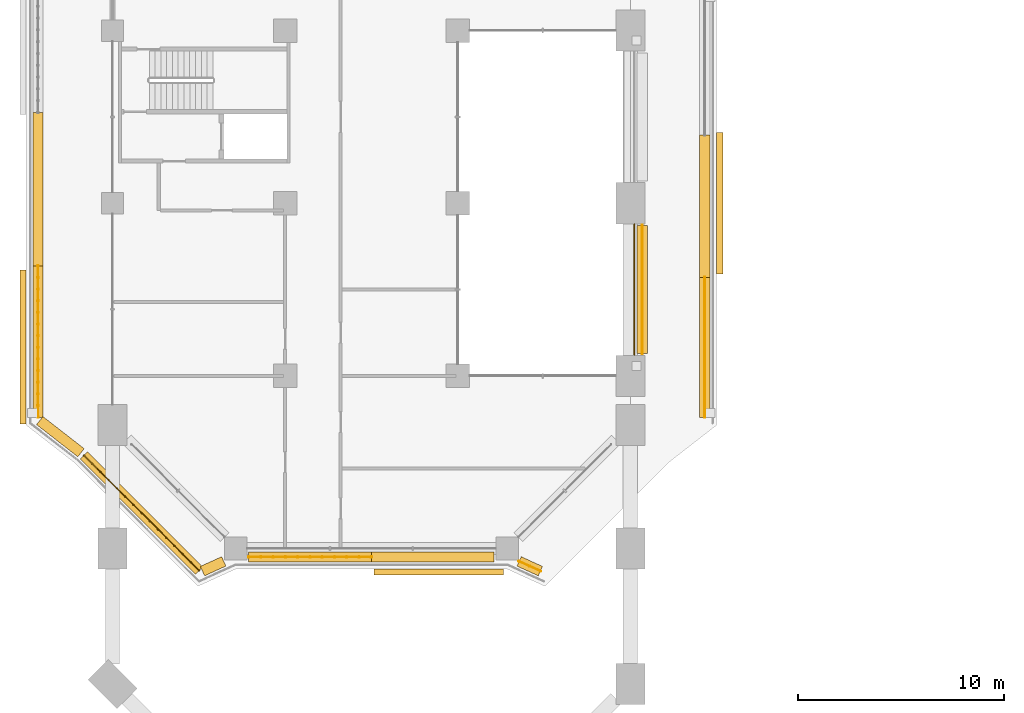
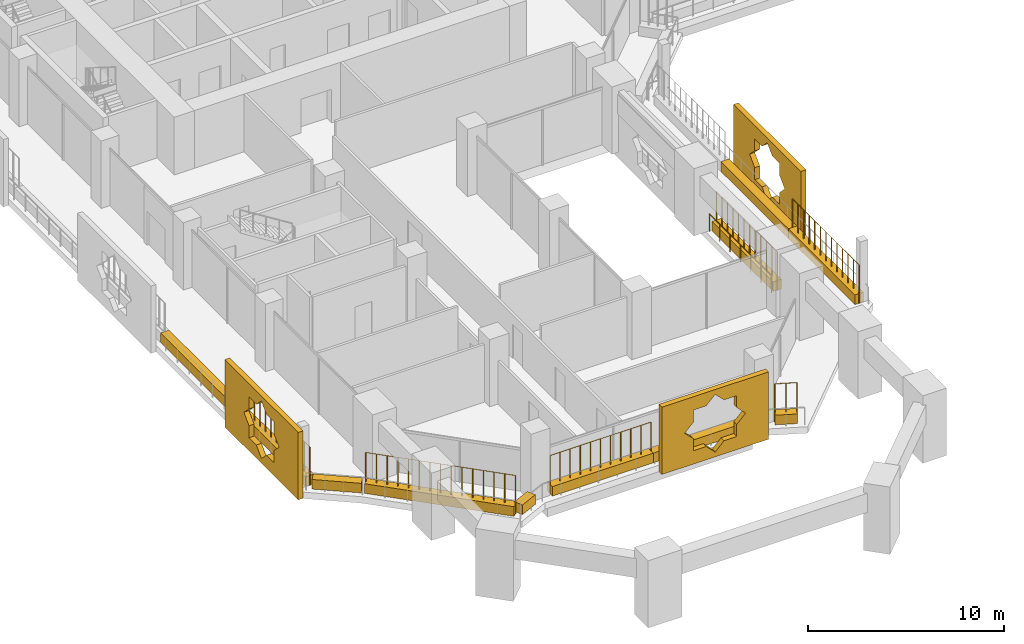
# One storey, part 19 of 27: 14 coverings, 7 railings.
"""IFC4 building model written with IfcOpenShell, lengths in metres."""

from ifc_helpers import new_model, si_unit, direction, frame, origin, origin_2d, place, context, subcontext, project, spatial, polyline, rectangle, circle, outline, extrude, material, material_profile, profile_set, type_object, element, save


model = new_model("IFC4")

# Units and contexts
model_context = context("Model", 3, precision=1e-05, world=origin(), true_north=direction((0.0, 1.0)))
body_context = subcontext(model_context, "Body", "Model", "MODEL_VIEW")
ifc_project = project(units=[si_unit("LENGTHUNIT", "METRE"), si_unit("AREAUNIT", "SQUARE_METRE"), si_unit("VOLUMEUNIT", "CUBIC_METRE"), si_unit("PLANEANGLEUNIT", "RADIAN"), si_unit("MASSUNIT", "GRAM", prefix="KILO")], contexts=[model_context])

# Site, building, storey
site_placement = place(None, origin())
site = spatial("IfcSite", under=ifc_project, at=site_placement, CompositionType="ELEMENT")
building_placement = place(site_placement, origin())
building = spatial("IfcBuilding", under=site, at=building_placement, Name="Kawkab Arch Medical Tower", CompositionType="ELEMENT")
storey_placement = place(building_placement, frame((0.0, 0.0, 103.0)))
storey = spatial("IfcBuildingStorey", under=building, at=storey_placement, Name="L23", CompositionType="ELEMENT", Elevation=103.0)

# Railing
ifc_material_1 = material(Name="Bronze anodised aluminium guard", Category="aluminium")
railing_type_1 = type_object("IfcRailingType", Name="Loggia and terrace guard 1100", PredefinedType="GUARDRAIL", material=ifc_material_1)
railing_1_placement = place(storey_placement, frame((25.39990234375, -49.3701171875, 0.0)))
element("IfcRailing", 1, at=railing_1_placement, inside=storey, type_object=railing_type_1, Name="Guard L23.LOG-01.1.1", PredefinedType="GUARDRAIL", context=body_context, shape_type="SweptSolid", body=[
    extrude(circle(Radius=0.02392578125, at=origin_2d()), frame((0.0, 0.0, 1.076171875), z_axis=(0.0, 1.0, 0.0), x_axis=(-1.0, 0.0, 0.0)), (0.0, 0.0, 1.0), 6.340087890625),
    extrude(circle(Radius=0.02099609375, at=origin_2d()), origin(), (0.0, 0.0, 1.0), 1.052001953125),
    extrude(circle(Radius=0.02099609375, at=origin_2d()), frame((0.0, 1.056640625, 0.0)), (0.0, 0.0, 1.0), 1.052001953125),
    extrude(circle(Radius=0.02099609375, at=origin_2d()), frame((0.0, 2.11328125, 0.0)), (0.0, 0.0, 1.0), 1.052001953125),
    extrude(circle(Radius=0.02099609375, at=origin_2d()), frame((0.0, 3.169921875, 0.0)), (0.0, 0.0, 1.0), 1.052001953125),
    extrude(circle(Radius=0.02099609375, at=origin_2d()), frame((0.0, 4.226806640625, 0.0)), (0.0, 0.0, 1.0), 1.052001953125),
    extrude(circle(Radius=0.02099609375, at=origin_2d()), frame((0.0, 5.283447265625, 0.0)), (0.0, 0.0, 1.0), 1.052001953125),
    extrude(circle(Radius=0.02099609375, at=origin_2d()), frame((0.0, 6.340087890625, 0.0)), (0.0, 0.0, 1.0), 1.052001953125),
])

# Coverings
ifc_material_2 = material(Name="Bronze anodised aluminium mashrabiya panel, eight-point star pattern", Category="aluminium")
ifc_material_profile_1 = material_profile(ifc_material_2, outline(polyline([(-3.14990234375, -2.10009765625), (3.14990234375, -2.10009765625), (3.14990234375, 2.10009765625), (-3.14990234375, 2.10009765625), (-3.14990234375, -2.10009765625)]), holes=[polyline([(1.800048828125, 0.0), (1.272705078125, 0.527099609375), (1.272705078125, 1.272705078125), (0.527099609375, 1.272705078125), (0.0, 1.800048828125), (-0.527099609375, 1.272705078125), (-1.272705078125, 1.272705078125), (-1.272705078125, 0.527099609375), (-1.800048828125, 0.0), (-1.272705078125, -0.527099609375), (-1.272705078125, -1.272705078125), (-0.527099609375, -1.272705078125), (0.0, -1.800048828125), (0.527099609375, -1.272705078125), (1.272705078125, -1.272705078125), (1.272705078125, -0.527099609375), (1.800048828125, 0.0)])]), Name="Mashrabiya panel 6300x4200")
ifc_profile_set_1 = profile_set([ifc_material_profile_1], Name="Bronze anodised aluminium mashrabiya panel, eight-point star pattern")
covering_type_1 = type_object("IfcCoveringType", Name="Mashrabiya panel 6300 x 4200", PredefinedType="USERDEFINED", material=ifc_profile_set_1)
covering_1_placement = place(storey_placement, frame((15.881103515625, -59.800048828125, 1.699951171875), z_axis=(0.0, -1.0, 0.0), x_axis=(1.0, 0.0, 0.0)))
element("IfcCovering", 2, at=covering_1_placement, inside=storey, type_object=covering_type_1, Name="Mashrabiya panel L23.LOG-01-02.1", ObjectType="SCREEN", PredefinedType="USERDEFINED", context=body_context, shape_type="SweptSolid", body=[
    extrude(outline(polyline([(-3.14990234375, -2.10009765625), (3.14990234375, -2.10009765625), (3.14990234375, 2.10009765625), (-3.14990234375, 2.10009765625), (-3.14990234375, -2.10009765625)]), holes=[polyline([(1.800048828125, 0.0), (1.272705078125, 0.527099609375), (1.272705078125, 1.272705078125), (0.527099609375, 1.272705078125), (0.0, 1.800048828125), (-0.527099609375, 1.272705078125), (-1.272705078125, 1.272705078125), (-1.272705078125, 0.527099609375), (-1.800048828125, 0.0), (-1.272705078125, -0.527099609375), (-1.272705078125, -1.272705078125), (-0.527099609375, -1.272705078125), (0.0, -1.800048828125), (0.527099609375, -1.272705078125), (1.272705078125, -1.272705078125), (1.272705078125, -0.527099609375), (1.800048828125, 0.0)])]), origin(), (0.0, 0.0, 1.0), 0.300048828125),
])
ifc_material_3 = material(Name="Bronze anodised aluminium mashrabiya panel, eight-point star pattern", Category="aluminium")
ifc_material_profile_2 = material_profile(ifc_material_3, outline(polyline([(-3.449951171875, -2.10009765625), (3.449951171875, -2.10009765625), (3.449951171875, 2.10009765625), (-3.449951171875, 2.10009765625), (-3.449951171875, -2.10009765625)]), holes=[polyline([(1.800048828125, 0.0), (1.272705078125, 0.527099609375), (1.272705078125, 1.272705078125), (0.527099609375, 1.272705078125), (0.0, 1.800048828125), (-0.527099609375, 1.272705078125), (-1.272705078125, 1.272705078125), (-1.272705078125, 0.527099609375), (-1.800048828125, 0.0), (-1.272705078125, -0.527099609375), (-1.272705078125, -1.272705078125), (-0.527099609375, -1.272705078125), (0.0, -1.800048828125), (0.527099609375, -1.272705078125), (1.272705078125, -1.272705078125), (1.272705078125, -0.527099609375), (1.800048828125, 0.0)])]), Name="Mashrabiya panel 6900x4200")
ifc_profile_set_2 = profile_set([ifc_material_profile_2], Name="Bronze anodised aluminium mashrabiya panel, eight-point star pattern")
covering_type_2 = type_object("IfcCoveringType", Name="Mashrabiya panel 6900 x 4200", PredefinedType="USERDEFINED", material=ifc_profile_set_2)
covering_2_placement = place(storey_placement, frame((29.39990234375, -42.002685546875, 1.699951171875), z_axis=(1.0, 0.0, 0.0), x_axis=(0.0, 1.0, 0.0)))
element("IfcCovering", 3, at=covering_2_placement, inside=storey, type_object=covering_type_2, Name="Mashrabiya panel L23.LOG-01-02.14", ObjectType="SCREEN", PredefinedType="USERDEFINED", context=body_context, shape_type="SweptSolid", body=[
    extrude(outline(polyline([(-3.449951171875, -2.10009765625), (3.449951171875, -2.10009765625), (3.449951171875, 2.10009765625), (-3.449951171875, 2.10009765625), (-3.449951171875, -2.10009765625)]), holes=[polyline([(1.800048828125, 0.0), (1.272705078125, 0.527099609375), (1.272705078125, 1.272705078125), (0.527099609375, 1.272705078125), (0.0, 1.800048828125), (-0.527099609375, 1.272705078125), (-1.272705078125, 1.272705078125), (-1.272705078125, 0.527099609375), (-1.800048828125, 0.0), (-1.272705078125, -0.527099609375), (-1.272705078125, -1.272705078125), (-0.527099609375, -1.272705078125), (0.0, -1.800048828125), (0.527099609375, -1.272705078125), (1.272705078125, -1.272705078125), (1.272705078125, -0.527099609375), (1.800048828125, 0.0)])]), origin(), (0.0, 0.0, 1.0), 0.300048828125),
])
ifc_material_4 = material(Name="Bronze anodised aluminium mashrabiya panel, eight-point star pattern", Category="aluminium")
ifc_material_profile_3 = material_profile(ifc_material_4, outline(polyline([(-3.75, -2.10009765625), (3.75, -2.10009765625), (3.75, 2.10009765625), (-3.75, 2.10009765625), (-3.75, -2.10009765625)]), holes=[polyline([(1.800048828125, 0.0), (1.272705078125, 0.527099609375), (1.272705078125, 1.272705078125), (0.527099609375, 1.272705078125), (0.0, 1.800048828125), (-0.527099609375, 1.272705078125), (-1.272705078125, 1.272705078125), (-1.272705078125, 0.527099609375), (-1.800048828125, 0.0), (-1.272705078125, -0.527099609375), (-1.272705078125, -1.272705078125), (-0.527099609375, -1.272705078125), (0.0, -1.800048828125), (0.527099609375, -1.272705078125), (1.272705078125, -1.272705078125), (1.272705078125, -0.527099609375), (1.800048828125, 0.0)])]), Name="Mashrabiya panel 7500x4200")
ifc_profile_set_3 = profile_set([ifc_material_profile_3], Name="Bronze anodised aluminium mashrabiya panel, eight-point star pattern")
covering_type_3 = type_object("IfcCoveringType", Name="Mashrabiya panel 7500 x 4200", PredefinedType="USERDEFINED", material=ifc_profile_set_3)
covering_3_placement = place(storey_placement, frame((-4.199951171875, -49.00439453125, 1.699951171875), z_axis=(-1.0, 0.0, 0.0), x_axis=(0.0, -1.0, 0.0)))
element("IfcCovering", 4, at=covering_3_placement, inside=storey, type_object=covering_type_3, Name="Mashrabiya panel L23.LOG-01-02.2", ObjectType="SCREEN", PredefinedType="USERDEFINED", context=body_context, shape_type="SweptSolid", body=[
    extrude(outline(polyline([(-3.75, -2.10009765625), (3.75, -2.10009765625), (3.75, 2.10009765625), (-3.75, 2.10009765625), (-3.75, -2.10009765625)]), holes=[polyline([(1.800048828125, 0.0), (1.272705078125, 0.527099609375), (1.272705078125, 1.272705078125), (0.527099609375, 1.272705078125), (0.0, 1.800048828125), (-0.527099609375, 1.272705078125), (-1.272705078125, 1.272705078125), (-1.272705078125, 0.527099609375), (-1.800048828125, 0.0), (-1.272705078125, -0.527099609375), (-1.272705078125, -1.272705078125), (-0.527099609375, -1.272705078125), (0.0, -1.800048828125), (0.527099609375, -1.272705078125), (1.272705078125, -1.272705078125), (1.272705078125, -0.527099609375), (1.800048828125, 0.0)])]), origin(), (0.0, 0.0, 1.0), 0.300048828125),
])
ifc_material_5 = material(Name="Planting soil in a precast trough", Category="concrete")
ifc_material_profile_4 = material_profile(ifc_material_5, rectangle(XDim=0.5, YDim=0.60009765625, at=origin_2d()), Name="Trough 500x600")
ifc_profile_set_4 = profile_set([ifc_material_profile_4], Name="Planting soil in a precast trough")
covering_type_4 = type_object("IfcCoveringType", Name="Planter trough 500 x 600", PredefinedType="USERDEFINED", material=ifc_profile_set_4)
covering_4_placement = place(storey_placement, frame((25.780029296875, -49.320068359375, 0.300048828125), z_axis=(0.0, 1.0, 0.0), x_axis=(-1.0, 0.0, 0.0)))
element("IfcCovering", 5, at=covering_4_placement, inside=storey, type_object=covering_type_4, Name="Planter L23.LOG-01-01.1", ObjectType="PLANTER", PredefinedType="USERDEFINED", context=body_context, shape_type="SweptSolid", body=[
    extrude(rectangle(XDim=0.5, YDim=0.60009765625, at=origin_2d()), origin(), (0.0, 0.0, 1.0), 6.239990234375),
])
covering_5_placement = place(storey_placement, frame((20.821044921875, -59.902099609375, 0.300048828125), z_axis=(-0.909821891123, 0.414998947508, 0.0), x_axis=(-0.414998947508, -0.909821891123, 0.0)))
element("IfcCovering", 6, at=covering_5_placement, inside=storey, type_object=covering_type_4, Name="Planter L23.LOG-01-02.1", ObjectType="PLANTER", PredefinedType="USERDEFINED", context=body_context, shape_type="SweptSolid", body=[
    extrude(rectangle(XDim=0.5, YDim=0.60009765625, at=origin_2d()), origin(), (0.0, 0.0, 1.0), 1.1376953125),
])
covering_6_placement = place(storey_placement, frame((18.570068359375, -59.219970703125, 0.300048828125), z_axis=(-1.0, 0.0, 0.0), x_axis=(0.0, -1.0, 0.0)))
element("IfcCovering", 7, at=covering_6_placement, inside=storey, type_object=covering_type_4, Name="Planter L23.LOG-01-02.2", ObjectType="PLANTER", PredefinedType="USERDEFINED", context=body_context, shape_type="SweptSolid", body=[
    extrude(rectangle(XDim=0.5, YDim=0.60009765625, at=origin_2d()), origin(), (0.0, 0.0, 1.0), 5.969970703125),
])
covering_7_placement = place(storey_placement, frame((12.60009765625, -59.219970703125, 0.300048828125), z_axis=(-1.0, 0.0, 0.0), x_axis=(0.0, -1.0, 0.0)))
element("IfcCovering", 8, at=covering_7_placement, inside=storey, type_object=covering_type_4, Name="Planter L23.LOG-01-02.3", ObjectType="PLANTER", PredefinedType="USERDEFINED", context=body_context, shape_type="SweptSolid", body=[
    extrude(rectangle(XDim=0.5, YDim=0.60009765625, at=origin_2d()), origin(), (0.0, 0.0, 1.0), 5.97021484375),
])
covering_8_placement = place(storey_placement, frame((5.4140625, -59.429931640625, 0.300048828125), z_axis=(-0.909821891123, -0.414998947508, 0.0), x_axis=(0.414998947508, -0.909821891123, 0.0)))
element("IfcCovering", 9, at=covering_8_placement, inside=storey, type_object=covering_type_4, Name="Planter L23.LOG-01-02.4", ObjectType="PLANTER", PredefinedType="USERDEFINED", context=body_context, shape_type="SweptSolid", body=[
    extrude(rectangle(XDim=0.5, YDim=0.60009765625, at=origin_2d()), origin(), (0.0, 0.0, 1.0), 1.1376953125),
])
covering_9_placement = place(storey_placement, frame((4.217041015625, -59.873046875, 0.300048828125), z_axis=(-0.707106781187, 0.707106781187, 0.0), x_axis=(-0.707106781187, -0.707106781187, 0.0)))
element("IfcCovering", 10, at=covering_9_placement, inside=storey, type_object=covering_type_4, Name="Planter L23.LOG-01-02.5", ObjectType="PLANTER", PredefinedType="USERDEFINED", context=body_context, shape_type="SweptSolid", body=[
    extrude(rectangle(XDim=0.5, YDim=0.60009765625, at=origin_2d()), origin(), (0.0, 0.0, 1.0), 7.919677734375),
])
covering_10_placement = place(storey_placement, frame((-1.531982421875, -54.14111328125, 0.300048828125), z_axis=(-0.789228258436, 0.614099956103, 0.0), x_axis=(-0.614099956103, -0.789228258436, 0.0)))
element("IfcCovering", 11, at=covering_10_placement, inside=storey, type_object=covering_type_4, Name="Planter L23.LOG-01-02.6", ObjectType="PLANTER", PredefinedType="USERDEFINED", context=body_context, shape_type="SweptSolid", body=[
    extrude(rectangle(XDim=0.5, YDim=0.60009765625, at=origin_2d()), origin(), (0.0, 0.0, 1.0), 2.545654296875),
])
covering_11_placement = place(storey_placement, frame((-3.6201171875, -52.416015625, 0.300048828125), z_axis=(0.0, 1.0, 0.0), x_axis=(-1.0, 0.0, 0.0)))
element("IfcCovering", 12, at=covering_11_placement, inside=storey, type_object=covering_type_4, Name="Planter L23.LOG-01-02.7", ObjectType="PLANTER", PredefinedType="USERDEFINED", context=body_context, shape_type="SweptSolid", body=[
    extrude(rectangle(XDim=0.5, YDim=0.60009765625, at=origin_2d()), origin(), (0.0, 0.0, 1.0), 7.361083984375),
])
covering_12_placement = place(storey_placement, frame((-3.6201171875, -45.054931640625, 0.300048828125), z_axis=(0.0, 1.0, 0.0), x_axis=(-1.0, 0.0, 0.0)))
element("IfcCovering", 13, at=covering_12_placement, inside=storey, type_object=covering_type_4, Name="Planter L23.LOG-01-02.8", ObjectType="PLANTER", PredefinedType="USERDEFINED", context=body_context, shape_type="SweptSolid", body=[
    extrude(rectangle(XDim=0.5, YDim=0.60009765625, at=origin_2d()), origin(), (0.0, 0.0, 1.0), 7.4619140625),
])
covering_13_placement = place(storey_placement, frame((28.820068359375, -38.69189453125, 0.300048828125), z_axis=(0.0, -1.0, 0.0), x_axis=(1.0, 0.0, 0.0)))
element("IfcCovering", 14, at=covering_13_placement, inside=storey, type_object=covering_type_4, Name="Planter L23.LOG-01-02.46", ObjectType="PLANTER", PredefinedType="USERDEFINED", context=body_context, shape_type="SweptSolid", body=[
    extrude(rectangle(XDim=0.5, YDim=0.60009765625, at=origin_2d()), origin(), (0.0, 0.0, 1.0), 6.912109375),
])
covering_14_placement = place(storey_placement, frame((28.820068359375, -45.60400390625, 0.300048828125), z_axis=(0.0, -1.0, 0.0), x_axis=(1.0, 0.0, 0.0)))
element("IfcCovering", 15, at=covering_14_placement, inside=storey, type_object=covering_type_4, Name="Planter L23.LOG-01-02.47", ObjectType="PLANTER", PredefinedType="USERDEFINED", context=body_context, shape_type="SweptSolid", body=[
    extrude(rectangle(XDim=0.5, YDim=0.60009765625, at=origin_2d()), origin(), (0.0, 0.0, 1.0), 6.81201171875),
])

# Railings
ifc_material_6 = material(Name="Bronze anodised aluminium trellis for climbing plants", Category="aluminium")
railing_type_2 = type_object("IfcRailingType", Name="Planting trellis 2400", PredefinedType="USERDEFINED", material=ifc_material_6)
railing_2_placement = place(storey_placement, frame((25.780029296875, -49.320068359375, 0.0)))
element("IfcRailing", 16, at=railing_2_placement, inside=storey, type_object=railing_type_2, Name="Planting trellis L23.LOG-01-01.1", ObjectType="TRELLIS", PredefinedType="USERDEFINED", context=body_context, shape_type="SweptSolid", body=[
    extrude(circle(Radius=0.01513671875, at=origin_2d()), frame((0.0, 0.0, 2.384765625), z_axis=(0.0, 1.0, 0.0), x_axis=(-1.0, 0.0, 0.0)), (0.0, 0.0, 1.0), 6.239990234375),
    extrude(circle(Radius=0.030029296875, at=origin_2d()), origin(), (0.0, 0.0, 1.0), 2.369873046875),
    extrude(circle(Radius=0.030029296875, at=origin_2d()), frame((0.0, 0.5673828125, 0.0)), (0.0, 0.0, 1.0), 2.369873046875),
    extrude(circle(Radius=0.030029296875, at=origin_2d()), frame((0.0, 1.134521484375, 0.0)), (0.0, 0.0, 1.0), 2.369873046875),
    extrude(circle(Radius=0.030029296875, at=origin_2d()), frame((0.0, 1.701904296875, 0.0)), (0.0, 0.0, 1.0), 2.369873046875),
    extrude(circle(Radius=0.030029296875, at=origin_2d()), frame((0.0, 2.26904296875, 0.0)), (0.0, 0.0, 1.0), 2.369873046875),
    extrude(circle(Radius=0.030029296875, at=origin_2d()), frame((0.0, 2.83642578125, 0.0)), (0.0, 0.0, 1.0), 2.369873046875),
    extrude(circle(Radius=0.030029296875, at=origin_2d()), frame((0.0, 3.403564453125, 0.0)), (0.0, 0.0, 1.0), 2.369873046875),
    extrude(circle(Radius=0.030029296875, at=origin_2d()), frame((0.0, 3.970947265625, 0.0)), (0.0, 0.0, 1.0), 2.369873046875),
    extrude(circle(Radius=0.030029296875, at=origin_2d()), frame((0.0, 4.5380859375, 0.0)), (0.0, 0.0, 1.0), 2.369873046875),
    extrude(circle(Radius=0.030029296875, at=origin_2d()), frame((0.0, 5.10546875, 0.0)), (0.0, 0.0, 1.0), 2.369873046875),
    extrude(circle(Radius=0.030029296875, at=origin_2d()), frame((0.0, 5.672607421875, 0.0)), (0.0, 0.0, 1.0), 2.369873046875),
    extrude(circle(Radius=0.030029296875, at=origin_2d()), frame((0.0, 6.239990234375, 0.0)), (0.0, 0.0, 1.0), 2.369873046875),
])
railing_3_placement = place(storey_placement, frame((20.821044921875, -59.902099609375, 0.0)))
element("IfcRailing", 17, at=railing_3_placement, inside=storey, type_object=railing_type_2, Name="Planting trellis L23.LOG-01-02.1", ObjectType="TRELLIS", PredefinedType="USERDEFINED", context=body_context, shape_type="SweptSolid", body=[
    extrude(circle(Radius=0.01513671875, at=origin_2d()), frame((0.0, 0.0, 2.384765625), z_axis=(-0.909821891123, 0.414998947508, 0.0), x_axis=(-0.414998947508, -0.909821891123, 0.0)), (0.0, 0.0, 1.0), 1.1376953125),
    extrude(circle(Radius=0.030029296875, at=origin_2d()), origin(), (0.0, 0.0, 1.0), 2.369873046875),
    extrude(circle(Radius=0.030029296875, at=origin_2d()), frame((-0.517578125, 0.236083984375, 0.0)), (0.0, 0.0, 1.0), 2.369873046875),
    extrude(circle(Radius=0.030029296875, at=origin_2d()), frame((-1.03515625, 0.47216796875, 0.0)), (0.0, 0.0, 1.0), 2.369873046875),
])
railing_4_placement = place(storey_placement, frame((12.60009765625, -59.219970703125, 0.0)))
element("IfcRailing", 18, at=railing_4_placement, inside=storey, type_object=railing_type_2, Name="Planting trellis L23.LOG-01-02.3", ObjectType="TRELLIS", PredefinedType="USERDEFINED", context=body_context, shape_type="SweptSolid", body=[
    extrude(circle(Radius=0.01513671875, at=origin_2d()), frame((0.0, 0.0, 2.384765625), z_axis=(-1.0, 0.0, 0.0), x_axis=(0.0, -1.0, 0.0)), (0.0, 0.0, 1.0), 5.97021484375),
    extrude(circle(Radius=0.030029296875, at=origin_2d()), origin(), (0.0, 0.0, 1.0), 2.369873046875),
    extrude(circle(Radius=0.030029296875, at=origin_2d()), frame((-0.596923828125, 0.0, 0.0)), (0.0, 0.0, 1.0), 2.369873046875),
    extrude(circle(Radius=0.030029296875, at=origin_2d()), frame((-1.194091796875, 0.0, 0.0)), (0.0, 0.0, 1.0), 2.369873046875),
    extrude(circle(Radius=0.030029296875, at=origin_2d()), frame((-1.791015625, 0.0, 0.0)), (0.0, 0.0, 1.0), 2.369873046875),
    extrude(circle(Radius=0.030029296875, at=origin_2d()), frame((-2.38818359375, 0.0, 0.0)), (0.0, 0.0, 1.0), 2.369873046875),
    extrude(circle(Radius=0.030029296875, at=origin_2d()), frame((-2.985107421875, 0.0, 0.0)), (0.0, 0.0, 1.0), 2.369873046875),
    extrude(circle(Radius=0.030029296875, at=origin_2d()), frame((-3.58203125, 0.0, 0.0)), (0.0, 0.0, 1.0), 2.369873046875),
    extrude(circle(Radius=0.030029296875, at=origin_2d()), frame((-4.17919921875, 0.0, 0.0)), (0.0, 0.0, 1.0), 2.369873046875),
    extrude(circle(Radius=0.030029296875, at=origin_2d()), frame((-4.776123046875, 0.0, 0.0)), (0.0, 0.0, 1.0), 2.369873046875),
    extrude(circle(Radius=0.030029296875, at=origin_2d()), frame((-5.373291015625, 0.0, 0.0)), (0.0, 0.0, 1.0), 2.369873046875),
    extrude(circle(Radius=0.030029296875, at=origin_2d()), frame((-5.97021484375, 0.0, 0.0)), (0.0, 0.0, 1.0), 2.369873046875),
])
railing_5_placement = place(storey_placement, frame((4.217041015625, -59.873046875, 0.0)))
element("IfcRailing", 19, at=railing_5_placement, inside=storey, type_object=railing_type_2, Name="Planting trellis L23.LOG-01-02.5", ObjectType="TRELLIS", PredefinedType="USERDEFINED", context=body_context, shape_type="SweptSolid", body=[
    extrude(circle(Radius=0.01513671875, at=origin_2d()), frame((0.0, 0.0, 2.384765625), z_axis=(-0.707106781187, 0.707106781187, 0.0), x_axis=(-0.707106781187, -0.707106781187, 0.0)), (0.0, 0.0, 1.0), 7.919677734375),
    extrude(circle(Radius=0.030029296875, at=origin_2d()), origin(), (0.0, 0.0, 1.0), 2.369873046875),
    extrude(circle(Radius=0.030029296875, at=origin_2d()), frame((-0.39990234375, 0.39990234375, 0.0)), (0.0, 0.0, 1.0), 2.369873046875),
    extrude(circle(Radius=0.030029296875, at=origin_2d()), frame((-0.800048828125, 0.800048828125, 0.0)), (0.0, 0.0, 1.0), 2.369873046875),
    extrude(circle(Radius=0.030029296875, at=origin_2d()), frame((-1.199951171875, 1.199951171875, 0.0)), (0.0, 0.0, 1.0), 2.369873046875),
    extrude(circle(Radius=0.030029296875, at=origin_2d()), frame((-1.60009765625, 1.60009765625, 0.0)), (0.0, 0.0, 1.0), 2.369873046875),
    extrude(circle(Radius=0.030029296875, at=origin_2d()), frame((-2.0, 2.0, 0.0)), (0.0, 0.0, 1.0), 2.369873046875),
    extrude(circle(Radius=0.030029296875, at=origin_2d()), frame((-2.400146484375, 2.400146484375, 0.0)), (0.0, 0.0, 1.0), 2.369873046875),
    extrude(circle(Radius=0.030029296875, at=origin_2d()), frame((-2.800048828125, 2.800048828125, 0.0)), (0.0, 0.0, 1.0), 2.369873046875),
    extrude(circle(Radius=0.030029296875, at=origin_2d()), frame((-3.199951171875, 3.199951171875, 0.0)), (0.0, 0.0, 1.0), 2.369873046875),
    extrude(circle(Radius=0.030029296875, at=origin_2d()), frame((-3.60009765625, 3.60009765625, 0.0)), (0.0, 0.0, 1.0), 2.369873046875),
    extrude(circle(Radius=0.030029296875, at=origin_2d()), frame((-4.0, 4.0, 0.0)), (0.0, 0.0, 1.0), 2.369873046875),
    extrude(circle(Radius=0.030029296875, at=origin_2d()), frame((-4.400146484375, 4.400146484375, 0.0)), (0.0, 0.0, 1.0), 2.369873046875),
    extrude(circle(Radius=0.030029296875, at=origin_2d()), frame((-4.800048828125, 4.800048828125, 0.0)), (0.0, 0.0, 1.0), 2.369873046875),
    extrude(circle(Radius=0.030029296875, at=origin_2d()), frame((-5.2001953125, 5.2001953125, 0.0)), (0.0, 0.0, 1.0), 2.369873046875),
    extrude(circle(Radius=0.030029296875, at=origin_2d()), frame((-5.60009765625, 5.60009765625, 0.0)), (0.0, 0.0, 1.0), 2.369873046875),
])
railing_6_placement = place(storey_placement, frame((-3.6201171875, -52.416015625, 0.0)))
element("IfcRailing", 20, at=railing_6_placement, inside=storey, type_object=railing_type_2, Name="Planting trellis L23.LOG-01-02.7", ObjectType="TRELLIS", PredefinedType="USERDEFINED", context=body_context, shape_type="SweptSolid", body=[
    extrude(circle(Radius=0.01513671875, at=origin_2d()), frame((0.0, 0.0, 2.384765625), z_axis=(0.0, 1.0, 0.0), x_axis=(-1.0, 0.0, 0.0)), (0.0, 0.0, 1.0), 7.361083984375),
    extrude(circle(Radius=0.030029296875, at=origin_2d()), origin(), (0.0, 0.0, 1.0), 2.369873046875),
    extrude(circle(Radius=0.030029296875, at=origin_2d()), frame((0.0, 0.566162109375, 0.0)), (0.0, 0.0, 1.0), 2.369873046875),
    extrude(circle(Radius=0.030029296875, at=origin_2d()), frame((0.0, 1.132568359375, 0.0)), (0.0, 0.0, 1.0), 2.369873046875),
    extrude(circle(Radius=0.030029296875, at=origin_2d()), frame((0.0, 1.69873046875, 0.0)), (0.0, 0.0, 1.0), 2.369873046875),
    extrude(circle(Radius=0.030029296875, at=origin_2d()), frame((0.0, 2.264892578125, 0.0)), (0.0, 0.0, 1.0), 2.369873046875),
    extrude(circle(Radius=0.030029296875, at=origin_2d()), frame((0.0, 2.831298828125, 0.0)), (0.0, 0.0, 1.0), 2.369873046875),
    extrude(circle(Radius=0.030029296875, at=origin_2d()), frame((0.0, 3.3974609375, 0.0)), (0.0, 0.0, 1.0), 2.369873046875),
    extrude(circle(Radius=0.030029296875, at=origin_2d()), frame((0.0, 3.963623046875, 0.0)), (0.0, 0.0, 1.0), 2.369873046875),
    extrude(circle(Radius=0.030029296875, at=origin_2d()), frame((0.0, 4.52978515625, 0.0)), (0.0, 0.0, 1.0), 2.369873046875),
    extrude(circle(Radius=0.030029296875, at=origin_2d()), frame((0.0, 5.09619140625, 0.0)), (0.0, 0.0, 1.0), 2.369873046875),
    extrude(circle(Radius=0.030029296875, at=origin_2d()), frame((0.0, 5.662353515625, 0.0)), (0.0, 0.0, 1.0), 2.369873046875),
    extrude(circle(Radius=0.030029296875, at=origin_2d()), frame((0.0, 6.228515625, 0.0)), (0.0, 0.0, 1.0), 2.369873046875),
    extrude(circle(Radius=0.030029296875, at=origin_2d()), frame((0.0, 6.794921875, 0.0)), (0.0, 0.0, 1.0), 2.369873046875),
    extrude(circle(Radius=0.030029296875, at=origin_2d()), frame((0.0, 7.361083984375, 0.0)), (0.0, 0.0, 1.0), 2.369873046875),
])
railing_7_placement = place(storey_placement, frame((28.820068359375, -45.60400390625, 0.0)))
element("IfcRailing", 21, at=railing_7_placement, inside=storey, type_object=railing_type_2, Name="Planting trellis L23.LOG-01-02.47", ObjectType="TRELLIS", PredefinedType="USERDEFINED", context=body_context, shape_type="SweptSolid", body=[
    extrude(circle(Radius=0.01513671875, at=origin_2d()), frame((0.0, 0.0, 2.384765625), z_axis=(0.0, -1.0, 0.0), x_axis=(1.0, 0.0, 0.0)), (0.0, 0.0, 1.0), 6.81201171875),
    extrude(circle(Radius=0.030029296875, at=origin_2d()), origin(), (0.0, 0.0, 1.0), 2.369873046875),
    extrude(circle(Radius=0.030029296875, at=origin_2d()), frame((0.0, -0.567626953125, 0.0)), (0.0, 0.0, 1.0), 2.369873046875),
    extrude(circle(Radius=0.030029296875, at=origin_2d()), frame((0.0, -1.13525390625, 0.0)), (0.0, 0.0, 1.0), 2.369873046875),
    extrude(circle(Radius=0.030029296875, at=origin_2d()), frame((0.0, -1.703125, 0.0)), (0.0, 0.0, 1.0), 2.369873046875),
    extrude(circle(Radius=0.030029296875, at=origin_2d()), frame((0.0, -2.270751953125, 0.0)), (0.0, 0.0, 1.0), 2.369873046875),
    extrude(circle(Radius=0.030029296875, at=origin_2d()), frame((0.0, -2.83837890625, 0.0)), (0.0, 0.0, 1.0), 2.369873046875),
    extrude(circle(Radius=0.030029296875, at=origin_2d()), frame((0.0, -3.406005859375, 0.0)), (0.0, 0.0, 1.0), 2.369873046875),
    extrude(circle(Radius=0.030029296875, at=origin_2d()), frame((0.0, -3.9736328125, 0.0)), (0.0, 0.0, 1.0), 2.369873046875),
    extrude(circle(Radius=0.030029296875, at=origin_2d()), frame((0.0, -4.541259765625, 0.0)), (0.0, 0.0, 1.0), 2.369873046875),
    extrude(circle(Radius=0.030029296875, at=origin_2d()), frame((0.0, -5.10888671875, 0.0)), (0.0, 0.0, 1.0), 2.369873046875),
    extrude(circle(Radius=0.030029296875, at=origin_2d()), frame((0.0, -5.6767578125, 0.0)), (0.0, 0.0, 1.0), 2.369873046875),
    extrude(circle(Radius=0.030029296875, at=origin_2d()), frame((0.0, -6.244384765625, 0.0)), (0.0, 0.0, 1.0), 2.369873046875),
    extrude(circle(Radius=0.030029296875, at=origin_2d()), frame((0.0, -6.81201171875, 0.0)), (0.0, 0.0, 1.0), 2.369873046875),
])

save(model, "model.ifc")
